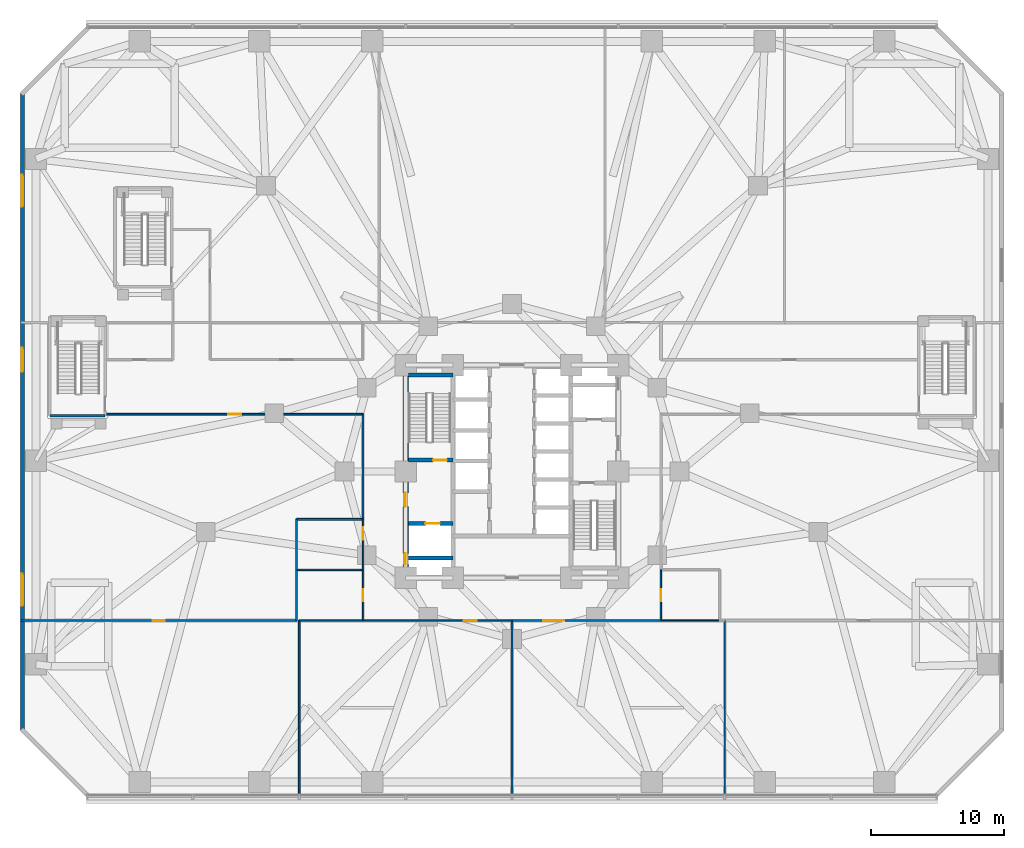
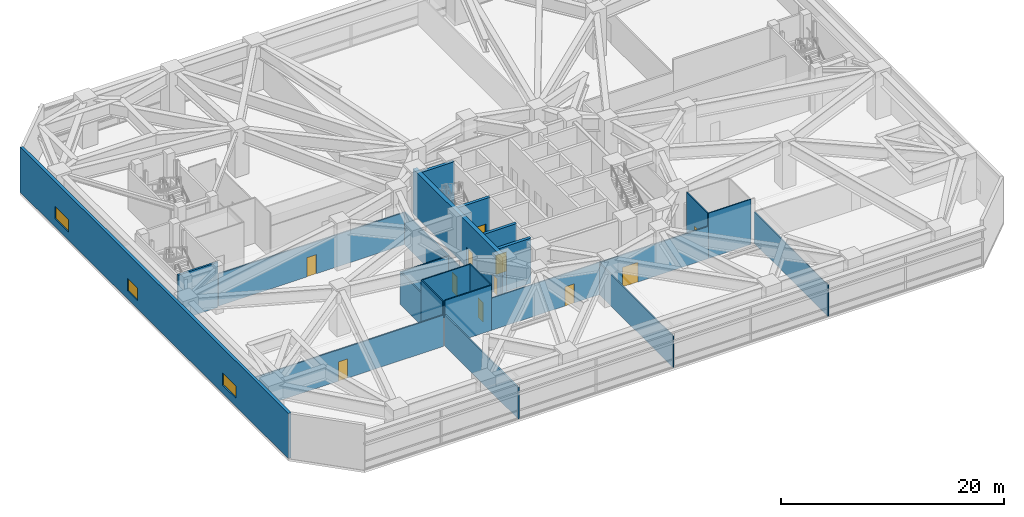
# One storey, part 15 of 27: 24 walls, 11 doors, 3 windows, 14 openings.
"""IFC4 building model written with IfcOpenShell, lengths in metres."""

from ifc_helpers import new_model, si_unit, direction, frame, frame_2d, origin, place, context, subcontext, project, spatial, rectangle, extrude, material, layer, layer_set, type_object, element, fill, save


model = new_model("IFC4")

# Units and contexts
model_context = context("Model", 3, precision=1e-05, world=origin(), true_north=direction((0.0, 1.0)))
body_context = subcontext(model_context, "Body", "Model", "MODEL_VIEW")
ifc_project = project(units=[si_unit("LENGTHUNIT", "METRE"), si_unit("AREAUNIT", "SQUARE_METRE"), si_unit("VOLUMEUNIT", "CUBIC_METRE"), si_unit("PLANEANGLEUNIT", "RADIAN"), si_unit("MASSUNIT", "GRAM", prefix="KILO")], contexts=[model_context])

# Site, building, storey
site_placement = place(None, origin())
site = spatial("IfcSite", under=ifc_project, at=site_placement, CompositionType="ELEMENT")
building_placement = place(site_placement, origin())
building = spatial("IfcBuilding", under=site, at=building_placement, Name="Terralouvre Media Tower", CompositionType="ELEMENT")
storey_placement = place(building_placement, frame((0.0, 0.0, 20.800048828125)))
storey = spatial("IfcBuildingStorey", under=building, at=storey_placement, Name="L04", CompositionType="ELEMENT", Elevation=20.800048828125)

# Wall, opening, door
ifc_material_1 = material(Name="Concrete C50/60", Category="concrete")
ifc_layer_1 = layer(ifc_material_1, 0.300048828125, Name="Core Internal Shaft Wall CW-300")
ifc_layer_set_1 = layer_set([ifc_layer_1], Name="Concrete C50/60")
wall_type_1 = type_object("IfcWallType", Name="Core Internal Shaft Wall CW-300", PredefinedType="SHEAR", material=ifc_layer_set_1)
wall_1_placement = place(storey_placement, frame((-7.7900390625, 0.85009765625, 0.0), z_axis=(0.0, 0.0, 1.0), x_axis=(1.0, 0.0, 0.0)))
wall_1 = element("IfcWall", 1, at=wall_1_placement, inside=storey, type_object=wall_type_1, Name="L04 Core Shaft Wall ST1D", PredefinedType="SHEAR", context=body_context, shape_type="SweptSolid", body=[
    extrude(rectangle(XDim=3.340087890625, YDim=0.300048828125, at=frame_2d((1.669921875, 0.0))), origin(), (0.0, 0.0, 1.0), 4.93994140625),
])
opening_1_placement = place(wall_1_placement, frame((1.85009765625, 0.0, 0.0)))
opening_1 = element("IfcOpeningElement", 2, at=opening_1_placement, cuts=wall_1, Name="Opening FD-01-105X215", PredefinedType="OPENING", context=body_context, shape_type="SweptSolid", body=[
    extrude(rectangle(XDim=1.050048828125, YDim=2.14990234375, at=frame_2d((0.52490234375, 1.074951171875))), frame((0.0, 0.159912109375, 0.0), z_axis=(0.0, -1.0, 0.0), x_axis=(1.0, 0.0, 0.0)), (0.0, 0.0, 1.0), 0.320068359375),
])
ifc_material_2 = material(Name="Galvanised steel fire-resisting leaf", Category="steel")
door_type_1 = type_object("IfcDoorType", Name="Stair and Firefighting Lobby Fire Door FD-01 (1050x2150)", OperationType="NOTDEFINED", PredefinedType="DOOR", material=ifc_material_2)
door_1_placement = place(opening_1_placement, origin())
door_1 = element("IfcDoor", 3, at=door_1_placement, inside=storey, type_object=door_type_1, Name="L04 ST-01 Exit Stair Door", OperationType="SINGLE_SWING_LEFT", OverallHeight=2.14990234375, OverallWidth=1.050048828125, PredefinedType="DOOR", context=body_context, shape_type="SweptSolid", body=[
    extrude(rectangle(XDim=1.050048828125, YDim=2.14990234375, at=frame_2d((0.52490234375, 1.074951171875))), frame((0.0, 0.02490234375, 0.0), z_axis=(0.0, -1.0, 0.0), x_axis=(1.0, 0.0, 0.0)), (0.0, 0.0, 1.0), 0.050048828125),
])
fill(opening_1, door_1)

# Wall
wall_2_placement = place(storey_placement, frame((-7.7900390625, 7.260009765625, 0.0), z_axis=(0.0, 0.0, 1.0), x_axis=(1.0, 0.0, 0.0)))
element("IfcWall", 4, at=wall_2_placement, inside=storey, type_object=wall_type_1, Name="L04 Core Shaft Wall ST1F", PredefinedType="SHEAR", context=body_context, shape_type="SweptSolid", body=[
    extrude(rectangle(XDim=3.340087890625, YDim=0.300048828125, at=frame_2d((1.669921875, 0.0))), origin(), (0.0, 0.0, 1.0), 4.93994140625),
])

# Wall, opening, door
wall_3_placement = place(storey_placement, frame((-7.7900390625, -3.89990234375, 0.0), z_axis=(0.0, 0.0, 1.0), x_axis=(1.0, 0.0, 0.0)))
wall_3 = element("IfcWall", 5, at=wall_3_placement, inside=storey, type_object=wall_type_1, Name="L04 Core Shaft Wall FF1N", PredefinedType="SHEAR", context=body_context, shape_type="SweptSolid", body=[
    extrude(rectangle(XDim=3.340087890625, YDim=0.300048828125, at=frame_2d((1.669921875, 0.0))), origin(), (0.0, 0.0, 1.0), 4.93994140625),
])
opening_2_placement = place(wall_3_placement, frame((1.27001953125, 0.0, 0.0)))
opening_2 = element("IfcOpeningElement", 6, at=opening_2_placement, cuts=wall_3, Name="Opening LD-FF", PredefinedType="OPENING", context=body_context, shape_type="SweptSolid", body=[
    extrude(rectangle(XDim=1.10009765625, YDim=2.10009765625, at=frame_2d((0.550048828125, 1.050048828125))), frame((0.0, 0.159912109375, 0.0), z_axis=(0.0, -1.0, 0.0), x_axis=(1.0, 0.0, 0.0)), (0.0, 0.0, 1.0), 0.320068359375),
])
ifc_material_3 = material(Name="Stainless steel 316 handrail and balustrade", Category="steel")
door_type_2 = type_object("IfcDoorType", Name="Firefighting Lift Sliding Landing Door LD-FF", OperationType="SLIDING_TO_LEFT", PredefinedType="DOOR", material=ifc_material_3)
door_2_placement = place(opening_2_placement, origin())
door_2 = element("IfcDoor", 7, at=door_2_placement, inside=storey, type_object=door_type_2, Name="L04 Firefighting Lift FFL-01 Landing Door", OperationType="SLIDING_TO_LEFT", OverallHeight=2.10009765625, OverallWidth=1.10009765625, PredefinedType="DOOR", context=body_context, shape_type="SweptSolid", body=[
    extrude(rectangle(XDim=1.10009765625, YDim=2.10009765625, at=frame_2d((0.550048828125, 1.050048828125))), frame((0.0, 0.02490234375, 0.0), z_axis=(0.0, -1.0, 0.0), x_axis=(1.0, 0.0, 0.0)), (0.0, 0.0, 1.0), 0.050048828125),
])
fill(opening_2, door_2)

# Wall
wall_4_placement = place(storey_placement, frame((-7.7900390625, -6.5, 0.0), z_axis=(0.0, 0.0, 1.0), x_axis=(1.0, 0.0, 0.0)))
element("IfcWall", 8, at=wall_4_placement, inside=storey, type_object=wall_type_1, Name="L04 Core Shaft Wall FF1S", PredefinedType="SHEAR", context=body_context, shape_type="SweptSolid", body=[
    extrude(rectangle(XDim=3.340087890625, YDim=0.300048828125, at=frame_2d((1.669921875, 0.0))), origin(), (0.0, 0.0, 1.0), 4.93994140625),
])

# Wall, openings, doors
ifc_material_4 = material(Name="Concrete C60/75", Category="concrete")
ifc_layer_2 = layer(ifc_material_4, 0.419921875, Name="Core Reinforced Concrete Shear Wall CW-420")
ifc_layer_set_2 = layer_set([ifc_layer_2], Name="Concrete C60/75")
wall_type_2 = type_object("IfcWallType", Name="Core Reinforced Concrete Shear Wall CW-420", PredefinedType="SHEAR", material=ifc_layer_set_2)
wall_5_placement = place(storey_placement, frame((-8.0, -8.0, 0.0), z_axis=(0.0, 0.0, 1.0), x_axis=(0.0, 1.0, 0.0)))
wall_5 = element("IfcWall", 9, at=wall_5_placement, inside=storey, type_object=wall_type_2, Name="L04 W Core Shear Wall", PredefinedType="SHEAR", context=body_context, shape_type="SweptSolid", body=[
    extrude(rectangle(XDim=16.0, YDim=0.419921875, at=frame_2d((8.0, 0.0))), origin(), (0.0, 0.0, 1.0), 4.93994140625),
])
opening_3_placement = place(wall_5_placement, frame((1.001708984375, 0.0, 0.0)))
opening_3 = element("IfcOpeningElement", 10, at=opening_3_placement, cuts=wall_5, Name="Opening TD-R1", PredefinedType="OPENING", context=body_context, shape_type="SweptSolid", body=[
    extrude(rectangle(XDim=0.85009765625, YDim=2.02001953125, at=frame_2d((0.425048828125, 1.010009765625))), frame((0.0, 0.219970703125, 0.0), z_axis=(0.0, -1.0, 0.0), x_axis=(1.0, 0.0, 0.0)), (0.0, 0.0, 1.0), 0.43994140625),
])
opening_4_placement = place(wall_5_placement, frame((5.35009765625, 0.0, 0.0)))
opening_4 = element("IfcOpeningElement", 11, at=opening_4_placement, cuts=wall_5, Name="Opening FD-01-105X215", PredefinedType="OPENING", context=body_context, shape_type="SweptSolid", body=[
    extrude(rectangle(XDim=1.050048828125, YDim=2.14990234375, at=frame_2d((0.52490234375, 1.074951171875))), frame((0.0, 0.219970703125, 0.0), z_axis=(0.0, -1.0, 0.0), x_axis=(1.0, 0.0, 0.0)), (0.0, 0.0, 1.0), 0.43994140625),
])
ifc_material_5 = material(Name="Galvanised steel fire-resisting leaf", Category="steel")
door_type_3 = type_object("IfcDoorType", Name="Riser Inspection Access Trapdoor TD-R1", OperationType="NOTDEFINED", PredefinedType="TRAPDOOR", material=ifc_material_5)
door_3_placement = place(opening_3_placement, origin())
door_3 = element("IfcDoor", 12, at=door_3_placement, inside=storey, type_object=door_type_3, Name="L04 Wet Riser Access Trapdoor", OperationType="SINGLE_SWING_LEFT", OverallHeight=2.02001953125, OverallWidth=0.85009765625, PredefinedType="TRAPDOOR", context=body_context, shape_type="SweptSolid", body=[
    extrude(rectangle(XDim=0.85009765625, YDim=2.02001953125, at=frame_2d((0.425048828125, 1.010009765625))), frame((0.0, 0.02490234375, 0.0), z_axis=(0.0, -1.0, 0.0), x_axis=(1.0, 0.0, 0.0)), (0.0, 0.0, 1.0), 0.050048828125),
])
fill(opening_3, door_3)
door_4_placement = place(opening_4_placement, origin())
door_4 = element("IfcDoor", 13, at=door_4_placement, inside=storey, type_object=door_type_1, Name="L04 West Firefighting Lobby Entry Door", OperationType="SINGLE_SWING_RIGHT", OverallHeight=2.14990234375, OverallWidth=1.050048828125, PredefinedType="DOOR", context=body_context, shape_type="SweptSolid", body=[
    extrude(rectangle(XDim=1.050048828125, YDim=2.14990234375, at=frame_2d((0.52490234375, 1.074951171875))), frame((0.0, 0.02490234375, 0.0), z_axis=(0.0, -1.0, 0.0), x_axis=(1.0, 0.0, 0.0)), (0.0, 0.0, 1.0), 0.050048828125),
])
fill(opening_4, door_4)

# Walls
ifc_material_6 = material(Name="Low-iron laminated double glazing with solar-control coating", Category="glass")
ifc_layer_3 = layer(ifc_material_6, 0.10009765625, Name="Demountable Glazed Office Partition PT-GL100")
ifc_layer_set_3 = layer_set([ifc_layer_3], Name="Low-iron laminated double glazing with solar-control coating")
wall_type_3 = type_object("IfcWallType", Name="Demountable Glazed Office Partition PT-GL100", PredefinedType="MOVABLE", material=ifc_layer_set_3)
wall_6_placement = place(storey_placement, frame((15.60009765625, -11.199951171875, 0.0), z_axis=(0.0, 0.0, 1.0), x_axis=(-1.0, 0.0, 0.0)))
element("IfcWall", 14, at=wall_6_placement, inside=storey, type_object=wall_type_3, Name="L04 Interior Partition 033", PredefinedType="MOVABLE", context=body_context, shape_type="SweptSolid", body=[
    extrude(rectangle(XDim=4.400146484375, YDim=0.10009765625, at=frame_2d((2.2001953125, 0.0))), origin(), (0.0, 0.0, 1.0), 4.93994140625),
])
wall_7_placement = place(storey_placement, frame((16.0, -24.419921875, 0.0), z_axis=(0.0, 0.0, 1.0), x_axis=(0.0, 1.0, 0.0)))
element("IfcWall", 15, at=wall_7_placement, inside=storey, type_object=wall_type_3, Name="L04 Interior Partition 034", PredefinedType="MOVABLE", context=body_context, shape_type="SweptSolid", body=[
    extrude(rectangle(XDim=13.219970703125, YDim=0.10009765625, at=frame_2d((6.60986328125, 0.0))), origin(), (0.0, 0.0, 1.0), 3.425048828125),
])
ifc_material_7 = material(Name="Fire-rated gypsum board drywall partition")
ifc_layer_4 = layer(ifc_material_7, 0.199951171875, Name="Fire-Rated Shaft and Lobby Partition FW-200")
ifc_layer_set_4 = layer_set([ifc_layer_4], Name="Fire-rated gypsum board drywall partition")
wall_type_4 = type_object("IfcWallType", Name="Fire-Rated Shaft and Lobby Partition FW-200", PredefinedType="SOLIDWALL", material=ifc_layer_set_4)
wall_8_placement = place(storey_placement, frame((-34.75, 4.199951171875, 0.0), z_axis=(0.0, 0.0, 1.0), x_axis=(1.0, 0.0, 0.0)))
element("IfcWall", 16, at=wall_8_placement, inside=storey, type_object=wall_type_4, Name="L04 ST03 Stair Shaft Wall S", PredefinedType="SOLIDWALL", context=body_context, shape_type="SweptSolid", body=[
    extrude(rectangle(XDim=4.14990234375, YDim=0.199951171875, at=frame_2d((2.074951171875, 0.0))), origin(), (0.0, 0.0, 1.0), 4.93994140625),
])

# Wall, opening, door
ifc_material_8 = material(Name="Fire-rated gypsum board drywall partition")
ifc_layer_5 = layer(ifc_material_8, 0.135009765625, Name="Newsroom Acoustic Partition PT-135")
ifc_layer_set_5 = layer_set([ifc_layer_5], Name="Fire-rated gypsum board drywall partition")
wall_type_5 = type_object("IfcWallType", Name="Newsroom Acoustic Partition PT-135", PredefinedType="PARTITIONING", material=ifc_layer_set_5)
wall_9_placement = place(storey_placement, frame((-30.5, 4.300048828125, 0.0), z_axis=(0.0, 0.0, 1.0), x_axis=(1.0, 0.0, 0.0)))
wall_9 = element("IfcWall", 17, at=wall_9_placement, inside=storey, type_object=wall_type_5, Name="L04 Interior Partition 002", PredefinedType="PARTITIONING", context=body_context, shape_type="SweptSolid", body=[
    extrude(rectangle(XDim=19.300048828125, YDim=0.135009765625, at=frame_2d((9.64990234375, 0.0))), origin(), (0.0, 0.0, 1.0), 3.52490234375),
])
opening_5_placement = place(wall_9_placement, frame((9.175048828125, 0.0, 0.0)))
opening_5 = element("IfcOpeningElement", 18, at=opening_5_placement, cuts=wall_9, Name="Opening ID-02-95X210", PredefinedType="OPENING", context=body_context, shape_type="SweptSolid", body=[
    extrude(rectangle(XDim=0.949951171875, YDim=2.10009765625, at=frame_2d((0.47509765625, 1.050048828125))), frame((0.0, 0.077392578125, 0.0), z_axis=(0.0, -1.0, 0.0), x_axis=(1.0, 0.0, 0.0)), (0.0, 0.0, 1.0), 0.155029296875),
])
ifc_material_9 = material(Name="Engineered hardwood acoustic timber leaf", Category="wood")
door_type_4 = type_object("IfcDoorType", Name="Office and Meeting Room Door ID-02 (950x2100)", OperationType="NOTDEFINED", PredefinedType="DOOR", material=ifc_material_9)
door_5_placement = place(opening_5_placement, origin())
door_5 = element("IfcDoor", 19, at=door_5_placement, inside=storey, type_object=door_type_4, Name="L04 L04 Integrated Digital Newsroom Open Office 1 Door", OperationType="SINGLE_SWING_RIGHT", OverallHeight=2.10009765625, OverallWidth=0.949951171875, PredefinedType="DOOR", context=body_context, shape_type="SweptSolid", body=[
    extrude(rectangle(XDim=0.949951171875, YDim=2.10009765625, at=frame_2d((0.47509765625, 1.050048828125))), frame((0.0, 0.02490234375, 0.0), z_axis=(0.0, -1.0, 0.0), x_axis=(1.0, 0.0, 0.0)), (0.0, 0.0, 1.0), 0.050048828125),
])
fill(opening_5, door_5)

# Wall
wall_10_placement = place(storey_placement, frame((-11.199951171875, 4.300048828125, 0.0), z_axis=(0.0, 0.0, 1.0), x_axis=(0.0, -1.0, 0.0)))
element("IfcWall", 20, at=wall_10_placement, inside=storey, type_object=wall_type_5, Name="L04 Interior Partition 003", PredefinedType="PARTITIONING", context=body_context, shape_type="SweptSolid", body=[
    extrude(rectangle(XDim=7.900146484375, YDim=0.135009765625, at=frame_2d((3.9501953125, 0.0))), origin(), (0.0, 0.0, 1.0), 3.52490234375),
])

# Wall, opening, door
wall_11_placement = place(storey_placement, frame((0.0, -11.199951171875, 0.0), z_axis=(0.0, 0.0, 1.0), x_axis=(1.0, 0.0, 0.0)))
wall_11 = element("IfcWall", 21, at=wall_11_placement, inside=storey, type_object=wall_type_5, Name="L04 Interior Partition 007", PredefinedType="PARTITIONING", context=body_context, shape_type="SweptSolid", body=[
    extrude(rectangle(XDim=11.199951171875, YDim=0.135009765625, at=frame_2d((5.60009765625, 0.0))), origin(), (0.0, 0.0, 1.0), 3.52490234375),
])
opening_6_placement = place(wall_11_placement, frame((2.3359375, 0.0, 0.0)))
opening_6 = element("IfcOpeningElement", 22, at=opening_6_placement, cuts=wall_11, Name="Opening ID-04-160X215", PredefinedType="OPENING", context=body_context, shape_type="SweptSolid", body=[
    extrude(rectangle(XDim=1.60009765625, YDim=2.14990234375, at=frame_2d((0.800048828125, 1.074951171875))), frame((0.0, 0.077392578125, 0.0), z_axis=(0.0, -1.0, 0.0), x_axis=(1.0, 0.0, 0.0)), (0.0, 0.0, 1.0), 0.155029296875),
])
ifc_material_10 = material(Name="Engineered hardwood acoustic timber leaf", Category="wood")
door_type_5 = type_object("IfcDoorType", Name="Conference Double Acoustic Door ID-04 (1600x2150)", OperationType="DOUBLE_DOOR_SINGLE_SWING", PredefinedType="DOOR", material=ifc_material_10)
door_6_placement = place(opening_6_placement, origin())
door_6 = element("IfcDoor", 23, at=door_6_placement, inside=storey, type_object=door_type_5, Name="L04 L04 Media Training Academy Classroom 4 Door", OperationType="DOUBLE_DOOR_SINGLE_SWING", OverallHeight=2.14990234375, OverallWidth=1.60009765625, PredefinedType="DOOR", context=body_context, shape_type="SweptSolid", body=[
    extrude(rectangle(XDim=1.60009765625, YDim=2.14990234375, at=frame_2d((0.800048828125, 1.074951171875))), frame((0.0, 0.02490234375, 0.0), z_axis=(0.0, -1.0, 0.0), x_axis=(1.0, 0.0, 0.0)), (0.0, 0.0, 1.0), 0.050048828125),
])
fill(opening_6, door_6)

# Walls
wall_12_placement = place(storey_placement, frame((-16.199951171875, -7.39990234375, 0.0), z_axis=(0.0, 0.0, 1.0), x_axis=(0.0, 1.0, 0.0)))
element("IfcWall", 24, at=wall_12_placement, inside=storey, type_object=wall_type_5, Name="L04 Interior Partition 024", PredefinedType="PARTITIONING", context=body_context, shape_type="SweptSolid", body=[
    extrude(rectangle(XDim=3.7998046875, YDim=0.135009765625, at=frame_2d((1.89990234375, 0.0))), origin(), (0.0, 0.0, 1.0), 3.52490234375),
])
wall_13_placement = place(storey_placement, frame((-16.199951171875, -3.60009765625, 0.0), z_axis=(0.0, 0.0, 1.0), x_axis=(1.0, 0.0, 0.0)))
element("IfcWall", 25, at=wall_13_placement, inside=storey, type_object=wall_type_5, Name="L04 Interior Partition 025", PredefinedType="PARTITIONING", context=body_context, shape_type="SweptSolid", body=[
    extrude(rectangle(XDim=5.0, YDim=0.135009765625, at=frame_2d((2.5, 0.0))), origin(), (0.0, 0.0, 1.0), 3.52490234375),
])

# Wall, opening, door
wall_14_placement = place(storey_placement, frame((-36.919921875, -11.199951171875, 0.0), z_axis=(0.0, 0.0, 1.0), x_axis=(1.0, 0.0, 0.0)))
wall_14 = element("IfcWall", 26, at=wall_14_placement, inside=storey, type_object=wall_type_5, Name="L04 Interior Partition 026", PredefinedType="PARTITIONING", context=body_context, shape_type="SweptSolid", body=[
    extrude(rectangle(XDim=20.719970703125, YDim=0.135009765625, at=frame_2d((10.35986328125, 0.0))), origin(), (0.0, 0.0, 1.0), 3.425048828125),
])
opening_7_placement = place(wall_14_placement, frame((9.89990234375, 0.0, 0.0)))
opening_7 = element("IfcOpeningElement", 27, at=opening_7_placement, cuts=wall_14, Name="Opening ID-03-92X210", PredefinedType="OPENING", context=body_context, shape_type="SweptSolid", body=[
    extrude(rectangle(XDim=0.919921875, YDim=2.10009765625, at=frame_2d((0.4599609375, 1.050048828125))), frame((0.0, 0.077392578125, 0.0), z_axis=(0.0, -1.0, 0.0), x_axis=(1.0, 0.0, 0.0)), (0.0, 0.0, 1.0), 0.155029296875),
])
ifc_material_11 = material(Name="Engineered hardwood acoustic timber leaf", Category="wood")
door_type_6 = type_object("IfcDoorType", Name="Accessible Restroom and Suite Door ID-03 (920x2100)", OperationType="NOTDEFINED", PredefinedType="DOOR", material=ifc_material_11)
door_7_placement = place(opening_7_placement, origin())
door_7 = element("IfcDoor", 28, at=door_7_placement, inside=storey, type_object=door_type_6, Name="L04 L04 Staff Broadcast Canteen Dining Room 2 Door", OperationType="SINGLE_SWING_LEFT", OverallHeight=2.10009765625, OverallWidth=0.919921875, PredefinedType="DOOR", context=body_context, shape_type="SweptSolid", body=[
    extrude(rectangle(XDim=0.919921875, YDim=2.10009765625, at=frame_2d((0.4599609375, 1.050048828125))), frame((0.0, 0.02490234375, 0.0), z_axis=(0.0, -1.0, 0.0), x_axis=(1.0, 0.0, 0.0)), (0.0, 0.0, 1.0), 0.050048828125),
])
fill(opening_7, door_7)

# Walls
wall_15_placement = place(storey_placement, frame((-16.199951171875, -11.199951171875, 0.0), z_axis=(0.0, 0.0, 1.0), x_axis=(0.0, 1.0, 0.0)))
element("IfcWall", 29, at=wall_15_placement, inside=storey, type_object=wall_type_5, Name="L04 Interior Partition 027", PredefinedType="PARTITIONING", context=body_context, shape_type="SweptSolid", body=[
    extrude(rectangle(XDim=3.800048828125, YDim=0.135009765625, at=frame_2d((1.89990234375, 0.0))), origin(), (0.0, 0.0, 1.0), 4.93994140625),
])
wall_16_placement = place(storey_placement, frame((-16.0, -24.419921875, 0.0), z_axis=(0.0, 0.0, 1.0), x_axis=(0.0, 1.0, 0.0)))
element("IfcWall", 30, at=wall_16_placement, inside=storey, type_object=wall_type_5, Name="L04 Interior Partition 030", PredefinedType="PARTITIONING", context=body_context, shape_type="SweptSolid", body=[
    extrude(rectangle(XDim=13.219970703125, YDim=0.135009765625, at=frame_2d((6.60986328125, 0.0))), origin(), (0.0, 0.0, 1.0), 3.425048828125),
])

# Wall, openings, windows
ifc_material_12 = material(Name="Kiln-fired architectural terracotta rainscreen cladding", Category="masonry")
ifc_layer_6 = layer(ifc_material_12, 0.300048828125, Name="Podium Acoustic Terracotta Cladding Wall EW-TC300")
ifc_layer_set_6 = layer_set([ifc_layer_6], Name="Kiln-fired architectural terracotta rainscreen cladding")
wall_type_6 = type_object("IfcWallType", Name="Podium Acoustic Terracotta Cladding Wall EW-TC300", PredefinedType="SOLIDWALL", material=ifc_layer_set_6)
wall_17_placement = place(storey_placement, frame((-36.824951171875, 28.5, 0.0), z_axis=(0.0, 0.0, 1.0), x_axis=(0.0, -1.0, 0.0)))
wall_17 = element("IfcWall", 31, at=wall_17_placement, inside=storey, type_object=wall_type_6, Name="L04 Podium Terracotta Wall F6", PredefinedType="SOLIDWALL", context=body_context, shape_type="SweptSolid", body=[
    extrude(rectangle(XDim=48.0, YDim=0.300048828125, at=frame_2d((24.0, 0.0))), origin(), (0.0, 0.0, 1.0), 4.93994140625),
])
opening_8_placement = place(wall_17_placement, frame((6.199951171875, 0.0, 0.89990234375)))
opening_8 = element("IfcOpeningElement", 32, at=opening_8_placement, cuts=wall_17, Name="Opening W-01", PredefinedType="OPENING", context=body_context, shape_type="SweptSolid", body=[
    extrude(rectangle(XDim=2.39990234375, YDim=1.35009765625, at=frame_2d((1.199951171875, 0.675048828125))), frame((0.0, 0.159912109375, 0.0), z_axis=(0.0, -1.0, 0.0), x_axis=(1.0, 0.0, 0.0)), (0.0, 0.0, 1.0), 0.320068359375),
])
opening_9_placement = place(wall_17_placement, frame((19.199951171875, 0.0, 0.89990234375)))
opening_9 = element("IfcOpeningElement", 33, at=opening_9_placement, cuts=wall_17, Name="Opening W-02", PredefinedType="OPENING", context=body_context, shape_type="SweptSolid", body=[
    extrude(rectangle(XDim=1.800048828125, YDim=1.35009765625, at=frame_2d((0.89990234375, 0.675048828125))), frame((0.0, 0.159912109375, 0.0), z_axis=(0.0, -1.0, 0.0), x_axis=(1.0, 0.0, 0.0)), (0.0, 0.0, 1.0), 0.320068359375),
])
opening_10_placement = place(wall_17_placement, frame((36.199951171875, 0.0, 0.89990234375)))
opening_10 = element("IfcOpeningElement", 34, at=opening_10_placement, cuts=wall_17, Name="Opening W-01", PredefinedType="OPENING", context=body_context, shape_type="SweptSolid", body=[
    extrude(rectangle(XDim=2.39990234375, YDim=1.35009765625, at=frame_2d((1.199951171875, 0.675048828125))), frame((0.0, 0.159912109375, 0.0), z_axis=(0.0, -1.0, 0.0), x_axis=(1.0, 0.0, 0.0)), (0.0, 0.0, 1.0), 0.320068359375),
])
ifc_material_13 = material(Name="Low-iron laminated double glazing with solar-control coating", Category="glass")
window_type_1 = type_object("IfcWindowType", Name="Podium Acoustic Studio Window W-01", PartitioningType="SINGLE_PANEL", PredefinedType="WINDOW", material=ifc_material_13)
window_1_placement = place(opening_8_placement, origin())
window_1 = element("IfcWindow", 35, at=window_1_placement, inside=storey, type_object=window_type_1, Name="L04 Podium Window WIN-L04-F6-1", OverallHeight=1.35009765625, OverallWidth=2.39990234375, PartitioningType="SINGLE_PANEL", PredefinedType="WINDOW", context=body_context, shape_type="SweptSolid", body=[
    extrude(rectangle(XDim=2.39990234375, YDim=1.35009765625, at=frame_2d((1.199951171875, 0.675048828125))), frame((0.0, 0.030029296875, 0.0), z_axis=(0.0, -1.0, 0.0), x_axis=(1.0, 0.0, 0.0)), (0.0, 0.0, 1.0), 0.06005859375),
])
fill(opening_8, window_1)
window_2_placement = place(opening_10_placement, origin())
window_2 = element("IfcWindow", 36, at=window_2_placement, inside=storey, type_object=window_type_1, Name="L04 Podium Window WIN-L04-F6-3", OverallHeight=1.35009765625, OverallWidth=2.39990234375, PartitioningType="SINGLE_PANEL", PredefinedType="WINDOW", context=body_context, shape_type="SweptSolid", body=[
    extrude(rectangle(XDim=2.39990234375, YDim=1.35009765625, at=frame_2d((1.199951171875, 0.675048828125))), frame((0.0, 0.030029296875, 0.0), z_axis=(0.0, -1.0, 0.0), x_axis=(1.0, 0.0, 0.0)), (0.0, 0.0, 1.0), 0.06005859375),
])
fill(opening_10, window_2)
ifc_material_14 = material(Name="Low-iron laminated double glazing with solar-control coating", Category="glass")
window_type_2 = type_object("IfcWindowType", Name="Podium Press Office Window W-02", PartitioningType="SINGLE_PANEL", PredefinedType="WINDOW", material=ifc_material_14)
window_3_placement = place(opening_9_placement, origin())
window_3 = element("IfcWindow", 37, at=window_3_placement, inside=storey, type_object=window_type_2, Name="L04 Podium Window WIN-L04-F6-2", OverallHeight=1.35009765625, OverallWidth=1.800048828125, PartitioningType="SINGLE_PANEL", PredefinedType="WINDOW", context=body_context, shape_type="SweptSolid", body=[
    extrude(rectangle(XDim=1.800048828125, YDim=1.35009765625, at=frame_2d((0.89990234375, 0.675048828125))), frame((0.0, 0.030029296875, 0.0), z_axis=(0.0, -1.0, 0.0), x_axis=(1.0, 0.0, 0.0)), (0.0, 0.0, 1.0), 0.06005859375),
])
fill(opening_9, window_3)

# Wall, opening, door
ifc_material_15 = material(Name="Fire-rated gypsum board drywall partition")
ifc_layer_7 = layer(ifc_material_15, 0.114990234375, Name="Restroom and Pantry Partition PT-115")
ifc_layer_set_7 = layer_set([ifc_layer_7], Name="Fire-rated gypsum board drywall partition")
wall_type_7 = type_object("IfcWallType", Name="Restroom and Pantry Partition PT-115", PredefinedType="PARTITIONING", material=ifc_layer_set_7)
wall_18_placement = place(storey_placement, frame((-11.199951171875, -3.60009765625, 0.0), z_axis=(0.0, 0.0, 1.0), x_axis=(0.0, -1.0, 0.0)))
wall_18 = element("IfcWall", 38, at=wall_18_placement, inside=storey, type_object=wall_type_7, Name="L04 Interior Partition 004", PredefinedType="PARTITIONING", context=body_context, shape_type="SweptSolid", body=[
    extrude(rectangle(XDim=3.7998046875, YDim=0.114990234375, at=frame_2d((1.89990234375, 0.0))), origin(), (0.0, 0.0, 1.0), 3.52490234375),
])
opening_11_placement = place(wall_18_placement, frame((0.60400390625, 0.0, 0.0)))
opening_11 = element("IfcOpeningElement", 39, at=opening_11_placement, cuts=wall_18, Name="Opening ID-03-92X210", PredefinedType="OPENING", context=body_context, shape_type="SweptSolid", body=[
    extrude(rectangle(XDim=0.919921875, YDim=2.10009765625, at=frame_2d((0.4599609375, 1.050048828125))), frame((0.0, 0.0673828125, 0.0), z_axis=(0.0, -1.0, 0.0), x_axis=(1.0, 0.0, 0.0)), (0.0, 0.0, 1.0), 0.135009765625),
])
door_8_placement = place(opening_11_placement, origin())
door_8 = element("IfcDoor", 40, at=door_8_placement, inside=storey, type_object=door_type_6, Name="L04 L04 Podium Female Restroom WC Door", OperationType="SINGLE_SWING_LEFT", OverallHeight=2.10009765625, OverallWidth=0.919921875, PredefinedType="DOOR", context=body_context, shape_type="SweptSolid", body=[
    extrude(rectangle(XDim=0.919921875, YDim=2.10009765625, at=frame_2d((0.4599609375, 1.050048828125))), frame((0.0, 0.02490234375, 0.0), z_axis=(0.0, -1.0, 0.0), x_axis=(1.0, 0.0, 0.0)), (0.0, 0.0, 1.0), 0.050048828125),
])
fill(opening_11, door_8)

wall_19_placement = place(storey_placement, frame((-11.199951171875, -7.39990234375, 0.0), z_axis=(0.0, 0.0, 1.0), x_axis=(0.0, -1.0, 0.0)))
wall_19 = element("IfcWall", 41, at=wall_19_placement, inside=storey, type_object=wall_type_7, Name="L04 Interior Partition 005", PredefinedType="PARTITIONING", context=body_context, shape_type="SweptSolid", body=[
    extrude(rectangle(XDim=3.800048828125, YDim=0.114990234375, at=frame_2d((1.89990234375, 0.0))), origin(), (0.0, 0.0, 1.0), 4.93994140625),
])
opening_12_placement = place(wall_19_placement, frame((1.43994140625, 0.0, 0.0)))
opening_12 = element("IfcOpeningElement", 42, at=opening_12_placement, cuts=wall_19, Name="Opening ID-03-92X210", PredefinedType="OPENING", context=body_context, shape_type="SweptSolid", body=[
    extrude(rectangle(XDim=0.919921875, YDim=2.10009765625, at=frame_2d((0.4599609375, 1.050048828125))), frame((0.0, 0.0673828125, 0.0), z_axis=(0.0, -1.0, 0.0), x_axis=(1.0, 0.0, 0.0)), (0.0, 0.0, 1.0), 0.135009765625),
])
door_9_placement = place(opening_12_placement, origin())
door_9 = element("IfcDoor", 43, at=door_9_placement, inside=storey, type_object=door_type_6, Name="L04 L04 Podium Male Restroom WC Door", OperationType="SINGLE_SWING_RIGHT", OverallHeight=2.10009765625, OverallWidth=0.919921875, PredefinedType="DOOR", context=body_context, shape_type="SweptSolid", body=[
    extrude(rectangle(XDim=0.919921875, YDim=2.10009765625, at=frame_2d((0.4599609375, 1.050048828125))), frame((0.0, 0.02490234375, 0.0), z_axis=(0.0, -1.0, 0.0), x_axis=(1.0, 0.0, 0.0)), (0.0, 0.0, 1.0), 0.050048828125),
])
fill(opening_12, door_9)

wall_20_placement = place(storey_placement, frame((-11.199951171875, -11.199951171875, 0.0), z_axis=(0.0, 0.0, 1.0), x_axis=(1.0, 0.0, 0.0)))
wall_20 = element("IfcWall", 44, at=wall_20_placement, inside=storey, type_object=wall_type_7, Name="L04 Interior Partition 006", PredefinedType="PARTITIONING", context=body_context, shape_type="SweptSolid", body=[
    extrude(rectangle(XDim=11.199951171875, YDim=0.114990234375, at=frame_2d((5.60009765625, 0.0))), origin(), (0.0, 0.0, 1.0), 3.52490234375),
])
opening_13_placement = place(wall_20_placement, frame((7.589111328125, 0.0, 0.0)))
opening_13 = element("IfcOpeningElement", 45, at=opening_13_placement, cuts=wall_20, Name="Opening SD-01-95X210", PredefinedType="OPENING", context=body_context, shape_type="SweptSolid", body=[
    extrude(rectangle(XDim=0.949951171875, YDim=2.10009765625, at=frame_2d((0.47509765625, 1.050048828125))), frame((0.0, 0.0673828125, 0.0), z_axis=(0.0, -1.0, 0.0), x_axis=(1.0, 0.0, 0.0)), (0.0, 0.0, 1.0), 0.135009765625),
])
ifc_material_16 = material(Name="Anodised extruded aluminium 6063-T6", Category="aluminium")
door_type_7 = type_object("IfcDoorType", Name="Pantry Pocket Sliding Door SD-01 (950x2100)", OperationType="SLIDING_TO_LEFT", PredefinedType="DOOR", material=ifc_material_16)
door_10_placement = place(opening_13_placement, origin())
door_10 = element("IfcDoor", 46, at=door_10_placement, inside=storey, type_object=door_type_7, Name="L04 L04 Commercial Culinary Kitchen 3 Door", OperationType="SLIDING_TO_LEFT", OverallHeight=2.10009765625, OverallWidth=0.949951171875, PredefinedType="DOOR", context=body_context, shape_type="SweptSolid", body=[
    extrude(rectangle(XDim=0.949951171875, YDim=2.10009765625, at=frame_2d((0.47509765625, 1.050048828125))), frame((0.0, 0.02490234375, 0.0), z_axis=(0.0, -1.0, 0.0), x_axis=(1.0, 0.0, 0.0)), (0.0, 0.0, 1.0), 0.050048828125),
])
fill(opening_13, door_10)

wall_21_placement = place(storey_placement, frame((11.199951171875, -11.199951171875, 0.0), z_axis=(0.0, 0.0, 1.0), x_axis=(0.0, 1.0, 0.0)))
wall_21 = element("IfcWall", 47, at=wall_21_placement, inside=storey, type_object=wall_type_7, Name="L04 Interior Partition 008", PredefinedType="PARTITIONING", context=body_context, shape_type="SweptSolid", body=[
    extrude(rectangle(XDim=3.800048828125, YDim=0.114990234375, at=frame_2d((1.89990234375, 0.0))), origin(), (0.0, 0.0, 1.0), 4.93994140625),
])
opening_14_placement = place(wall_21_placement, frame((1.43994140625, 0.0, 0.0)))
opening_14 = element("IfcOpeningElement", 48, at=opening_14_placement, cuts=wall_21, Name="Opening ID-03-92X210", PredefinedType="OPENING", context=body_context, shape_type="SweptSolid", body=[
    extrude(rectangle(XDim=0.919921875, YDim=2.10009765625, at=frame_2d((0.4599609375, 1.050048828125))), frame((0.0, 0.0673828125, 0.0), z_axis=(0.0, -1.0, 0.0), x_axis=(1.0, 0.0, 0.0)), (0.0, 0.0, 1.0), 0.135009765625),
])
door_11_placement = place(opening_14_placement, origin())
door_11 = element("IfcDoor", 49, at=door_11_placement, inside=storey, type_object=door_type_6, Name="L04 L04 Podium Accessible Unisex WC Door", OperationType="SINGLE_SWING_LEFT", OverallHeight=2.10009765625, OverallWidth=0.919921875, PredefinedType="DOOR", context=body_context, shape_type="SweptSolid", body=[
    extrude(rectangle(XDim=0.919921875, YDim=2.10009765625, at=frame_2d((0.4599609375, 1.050048828125))), frame((0.0, 0.02490234375, 0.0), z_axis=(0.0, -1.0, 0.0), x_axis=(1.0, 0.0, 0.0)), (0.0, 0.0, 1.0), 0.050048828125),
])
fill(opening_14, door_11)

# Walls
wall_22_placement = place(storey_placement, frame((-16.199951171875, -7.39990234375, 0.0), z_axis=(0.0, 0.0, 1.0), x_axis=(1.0, 0.0, 0.0)))
element("IfcWall", 50, at=wall_22_placement, inside=storey, type_object=wall_type_7, Name="L04 Interior Partition 029", PredefinedType="PARTITIONING", context=body_context, shape_type="SweptSolid", body=[
    extrude(rectangle(XDim=5.0, YDim=0.114990234375, at=frame_2d((2.5, 0.0))), origin(), (0.0, 0.0, 1.0), 4.93994140625),
])
wall_23_placement = place(storey_placement, frame((-16.0, -11.199951171875, 0.0), z_axis=(0.0, 0.0, 1.0), x_axis=(1.0, 0.0, 0.0)))
element("IfcWall", 51, at=wall_23_placement, inside=storey, type_object=wall_type_7, Name="L04 Interior Partition 031", PredefinedType="PARTITIONING", context=body_context, shape_type="SweptSolid", body=[
    extrude(rectangle(XDim=4.800048828125, YDim=0.114990234375, at=frame_2d((2.39990234375, 0.0))), origin(), (0.0, 0.0, 1.0), 4.93994140625),
])
wall_24_placement = place(storey_placement, frame((0.0, -24.419921875, 0.0), z_axis=(0.0, 0.0, 1.0), x_axis=(0.0, 1.0, 0.0)))
element("IfcWall", 52, at=wall_24_placement, inside=storey, type_object=wall_type_7, Name="L04 Interior Partition 032", PredefinedType="PARTITIONING", context=body_context, shape_type="SweptSolid", body=[
    extrude(rectangle(XDim=13.219970703125, YDim=0.114990234375, at=frame_2d((6.60986328125, 0.0))), origin(), (0.0, 0.0, 1.0), 3.425048828125),
])

save(model, "model.ifc")
